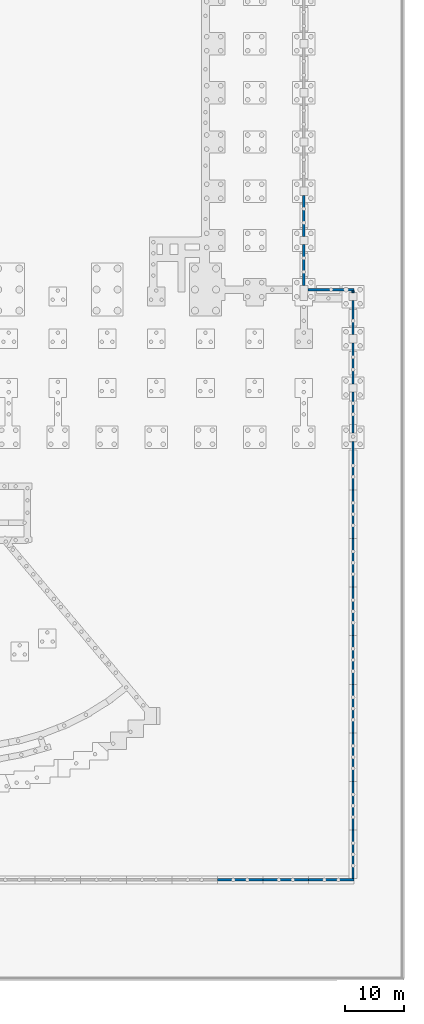
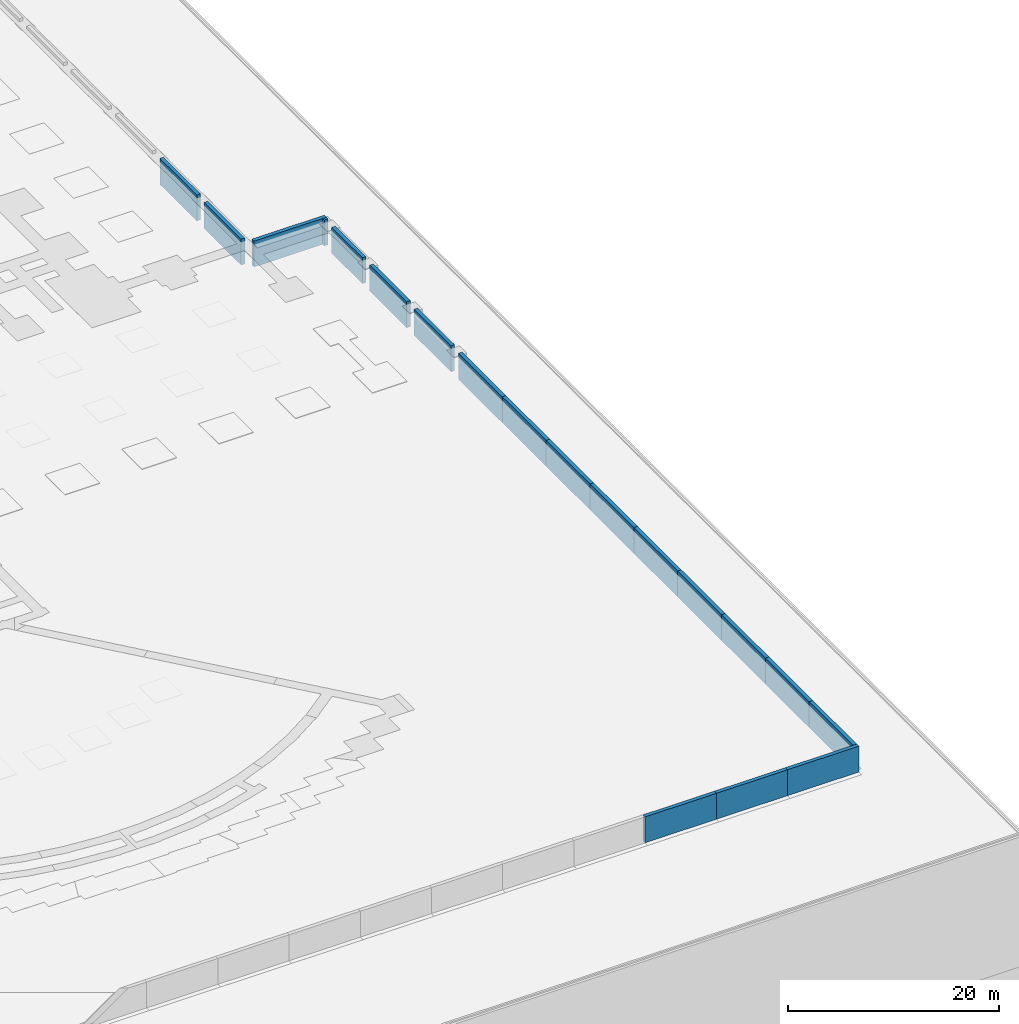
# One storey, part 44 of 67: 19 walls.
"""IFC4 building model written with IfcOpenShell, lengths in metres."""

from ifc_helpers import new_model, si_unit, direction, frame, frame_2d, origin, place, context, subcontext, project, spatial, rectangle, extrude, material, layer, layer_set, type_object, element, save


model = new_model("IFC4")

# Units and contexts
model_context = context("Model", 3, precision=1e-05, world=origin(), true_north=direction((0.0, 1.0)))
body_context = subcontext(model_context, "Body", "Model", "MODEL_VIEW")
ifc_project = project(units=[si_unit("LENGTHUNIT", "METRE"), si_unit("AREAUNIT", "SQUARE_METRE"), si_unit("VOLUMEUNIT", "CUBIC_METRE"), si_unit("PLANEANGLEUNIT", "RADIAN"), si_unit("MASSUNIT", "GRAM", prefix="KILO")], contexts=[model_context])

# Site, building, storey
site_placement = place(None, origin())
site = spatial("IfcSite", under=ifc_project, at=site_placement, CompositionType="ELEMENT")
building_placement = place(site_placement, origin())
building = spatial("IfcBuilding", under=site, at=building_placement, Name="Rain Tree Exposition and Congress Centre", CompositionType="ELEMENT")
storey_placement = place(building_placement, frame((0.0, 0.0, -3.0)))
storey = spatial("IfcBuildingStorey", under=building, at=storey_placement, Name="B1", CompositionType="ELEMENT", Elevation=-3.0)

# Walls
ifc_material = material(Name="Concrete C40/50", Category="concrete")
ifc_layer = layer(ifc_material, 0.39990234375)
ifc_layer_set = layer_set([ifc_layer], Name="Concrete C40/50")
wall_type = type_object("IfcWallType", Name="Precast retaining wall 400", PredefinedType="SOLIDWALL", material=ifc_layer_set)
for number, where, z_axis, x_axis, name in (
    (1, (260.39990234375, 116.89990234375, 0.0), (0.0, 0.0, 1.0), (0.0, -1.0, 0.0), "Retaining wall 091"),
    (2, (260.39990234375, 108.5, 0.0), (0.0, 0.0, 1.0), (0.0, -1.0, 0.0), "Retaining wall 092"),
):
    element("IfcWall", number, at=place(storey_placement, frame(where, z_axis=z_axis, x_axis=x_axis)), inside=storey, type_object=wall_type, Name=name, PredefinedType="SOLIDWALL", context=body_context, shape_type="SweptSolid", body=[
        extrude(rectangle(XDim=7.0, YDim=0.39990234375, at=frame_2d((3.5, 0.0))), origin(), (0.0, 0.0, 1.0), 3.0),
    ])
wall_1_placement = place(storey_placement, frame((261.10009765625, 100.800048828125, 0.0), z_axis=(0.0, 0.0, 1.0), x_axis=(1.0, 0.0, 0.0)))
element("IfcWall", 3, at=wall_1_placement, inside=storey, type_object=wall_type, Name="Retaining wall 093", PredefinedType="SOLIDWALL", context=body_context, shape_type="SweptSolid", body=[
    extrude(rectangle(XDim=7.89990234375, YDim=0.39990234375, at=frame_2d((3.949951171875, 0.0))), origin(), (0.0, 0.0, 1.0), 3.0),
])
wall_2_placement = place(storey_placement, frame((268.800048828125, 100.60009765625, 0.0), z_axis=(0.0, 0.0, 1.0), x_axis=(0.0, -1.0, 0.0)))
element("IfcWall", 4, at=wall_2_placement, inside=storey, type_object=wall_type, Name="Retaining wall 094", PredefinedType="SOLIDWALL", context=body_context, shape_type="SweptSolid", body=[
    extrude(rectangle(XDim=0.300048828125, YDim=0.39990234375, at=frame_2d((0.14990234375, 0.0))), origin(), (0.0, 0.0, 1.0), 3.0),
])
wall_3_placement = place(storey_placement, frame((268.800048828125, 98.89990234375, 0.0), z_axis=(0.0, 0.0, 1.0), x_axis=(0.0, -1.0, 0.0)))
element("IfcWall", 5, at=wall_3_placement, inside=storey, type_object=wall_type, Name="Retaining wall 095", PredefinedType="SOLIDWALL", context=body_context, shape_type="SweptSolid", body=[
    extrude(rectangle(XDim=5.7998046875, YDim=0.39990234375, at=frame_2d((2.89990234375, 0.0))), origin(), (0.0, 0.0, 1.0), 3.0),
])
for number, where, z_axis, x_axis, name in (
    (6, (268.800048828125, 91.699951171875, 0.0), (0.0, 0.0, 1.0), (0.0, -1.0, 0.0), "Retaining wall 096"),
    (7, (268.800048828125, 83.300048828125, 0.0), (0.0, 0.0, 1.0), (0.0, -1.0, 0.0), "Retaining wall 097"),
):
    element("IfcWall", number, at=place(storey_placement, frame(where, z_axis=z_axis, x_axis=x_axis)), inside=storey, type_object=wall_type, Name=name, PredefinedType="SOLIDWALL", context=body_context, shape_type="SweptSolid", body=[
        extrude(rectangle(XDim=7.0, YDim=0.39990234375, at=frame_2d((3.5, 0.0))), origin(), (0.0, 0.0, 1.0), 3.0),
    ])
wall_4_placement = place(storey_placement, frame((268.800048828125, 74.89990234375, 0.0), z_axis=(0.0, 0.0, 1.0), x_axis=(0.0, -1.0, 0.0)))
element("IfcWall", 8, at=wall_4_placement, inside=storey, type_object=wall_type, Name="Retaining wall 098", PredefinedType="SOLIDWALL", context=body_context, shape_type="SweptSolid", body=[
    extrude(rectangle(XDim=8.2998046875, YDim=0.39990234375, at=frame_2d((4.14990234375, 0.0))), origin(), (0.0, 0.0, 1.0), 3.0),
])
for number, where, z_axis, x_axis, name in (
    (9, (268.800048828125, 66.60009765625, 0.0), (0.0, 0.0, 1.0), (0.0, -1.0, 0.0), "Retaining wall 099"),
    (10, (268.800048828125, 58.300048828125, 0.0), (0.0, 0.0, 1.0), (0.0, -1.0, 0.0), "Retaining wall 100"),
    (11, (268.800048828125, 50.0, 0.0), (0.0, 0.0, 1.0), (0.0, -1.0, 0.0), "Retaining wall 101"),
    (12, (268.800048828125, 41.699951171875, 0.0), (0.0, 0.0, 1.0), (0.0, -1.0, 0.0), "Retaining wall 102"),
):
    element("IfcWall", number, at=place(storey_placement, frame(where, z_axis=z_axis, x_axis=x_axis)), inside=storey, type_object=wall_type, Name=name, PredefinedType="SOLIDWALL", context=body_context, shape_type="SweptSolid", body=[
        extrude(rectangle(XDim=8.300048828125, YDim=0.39990234375, at=frame_2d((4.14990234375, 0.0))), origin(), (0.0, 0.0, 1.0), 3.0),
    ])
wall_5_placement = place(storey_placement, frame((268.800048828125, 33.39990234375, 0.0), z_axis=(0.0, 0.0, 1.0), x_axis=(0.0, -1.0, 0.0)))
element("IfcWall", 13, at=wall_5_placement, inside=storey, type_object=wall_type, Name="Retaining wall 103", PredefinedType="SOLIDWALL", context=body_context, shape_type="SweptSolid", body=[
    extrude(rectangle(XDim=8.2998046875, YDim=0.39990234375, at=frame_2d((4.14990234375, 0.0))), origin(), (0.0, 0.0, 1.0), 3.0),
])
for number, where, z_axis, x_axis, name in (
    (14, (268.800048828125, 25.10009765625, 0.0), (0.0, 0.0, 1.0), (0.0, -1.0, 0.0), "Retaining wall 104"),
    (15, (268.800048828125, 16.800048828125, 0.0), (0.0, 0.0, 1.0), (0.0, -1.0, 0.0), "Retaining wall 105"),
    (16, (268.800048828125, 8.5, 0.0), (0.0, 0.0, 1.0), (0.0, -1.0, 0.0), "Retaining wall 106"),
):
    element("IfcWall", number, at=place(storey_placement, frame(where, z_axis=z_axis, x_axis=x_axis)), inside=storey, type_object=wall_type, Name=name, PredefinedType="SOLIDWALL", context=body_context, shape_type="SweptSolid", body=[
        extrude(rectangle(XDim=8.300048828125, YDim=0.39990234375, at=frame_2d((4.14990234375, 0.0))), origin(), (0.0, 0.0, 1.0), 3.0),
    ])
wall_6_placement = place(storey_placement, frame((269.0, 0.0, 0.0), z_axis=(0.0, 0.0, 1.0), x_axis=(-1.0, 0.0, 0.0)))
element("IfcWall", 17, at=wall_6_placement, inside=storey, type_object=wall_type, Name="Retaining wall 107", PredefinedType="SOLIDWALL", context=body_context, shape_type="SweptSolid", body=[
    extrude(rectangle(XDim=7.78466796875, YDim=0.39990234375, at=frame_2d((3.892333984375, 0.0))), origin(), (0.0, 0.0, 1.0), 3.0),
])
wall_7_placement = place(storey_placement, frame((261.21533203125, 0.0, 0.0), z_axis=(0.0, 0.0, 1.0), x_axis=(-1.0, 0.0, 0.0)))
element("IfcWall", 18, at=wall_7_placement, inside=storey, type_object=wall_type, Name="Retaining wall 108", PredefinedType="SOLIDWALL", context=body_context, shape_type="SweptSolid", body=[
    extrude(rectangle(XDim=7.784423828125, YDim=0.39990234375, at=frame_2d((3.89208984375, 0.0))), origin(), (0.0, 0.0, 1.0), 3.0),
])
wall_8_placement = place(storey_placement, frame((253.430908203125, 0.0, 0.0), z_axis=(0.0, 0.0, 1.0), x_axis=(-1.0, 0.0, 0.0)))
element("IfcWall", 19, at=wall_8_placement, inside=storey, type_object=wall_type, Name="Retaining wall 109", PredefinedType="SOLIDWALL", context=body_context, shape_type="SweptSolid", body=[
    extrude(rectangle(XDim=7.78466796875, YDim=0.39990234375, at=frame_2d((3.892333984375, 0.0))), origin(), (0.0, 0.0, 1.0), 3.0),
])

save(model, "model.ifc")
